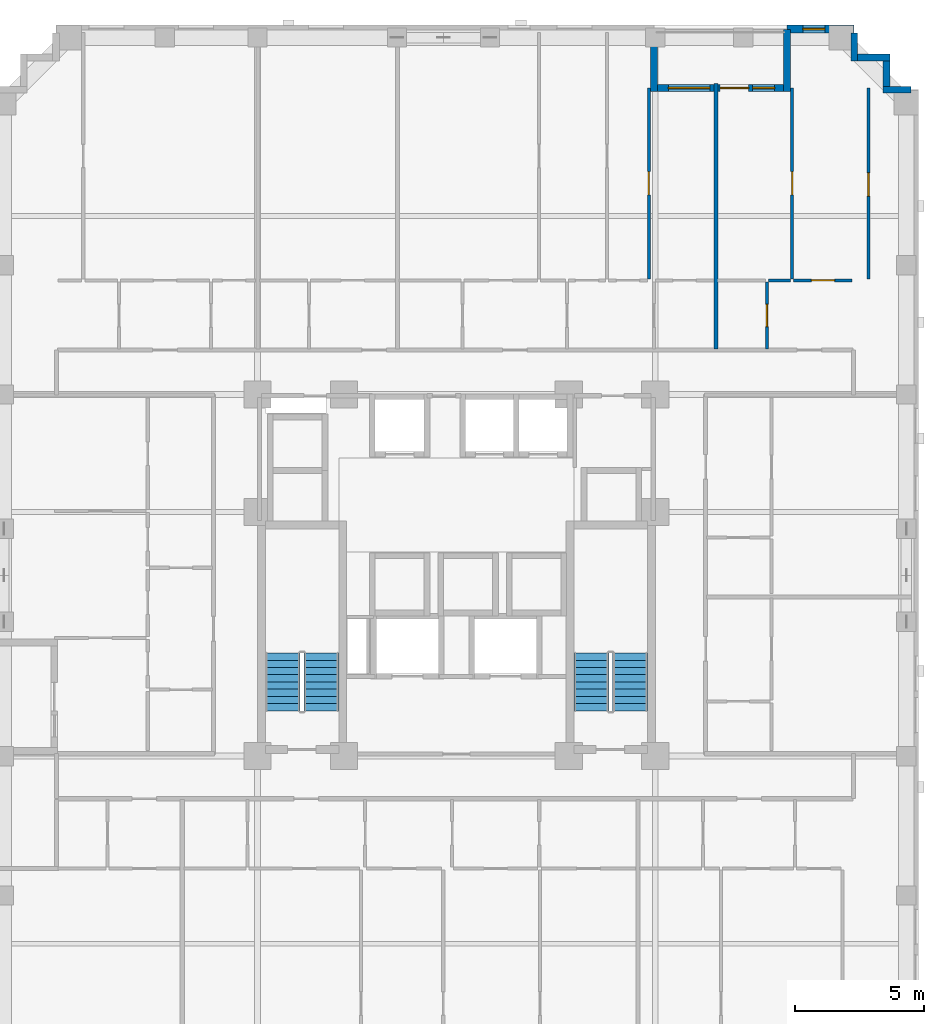
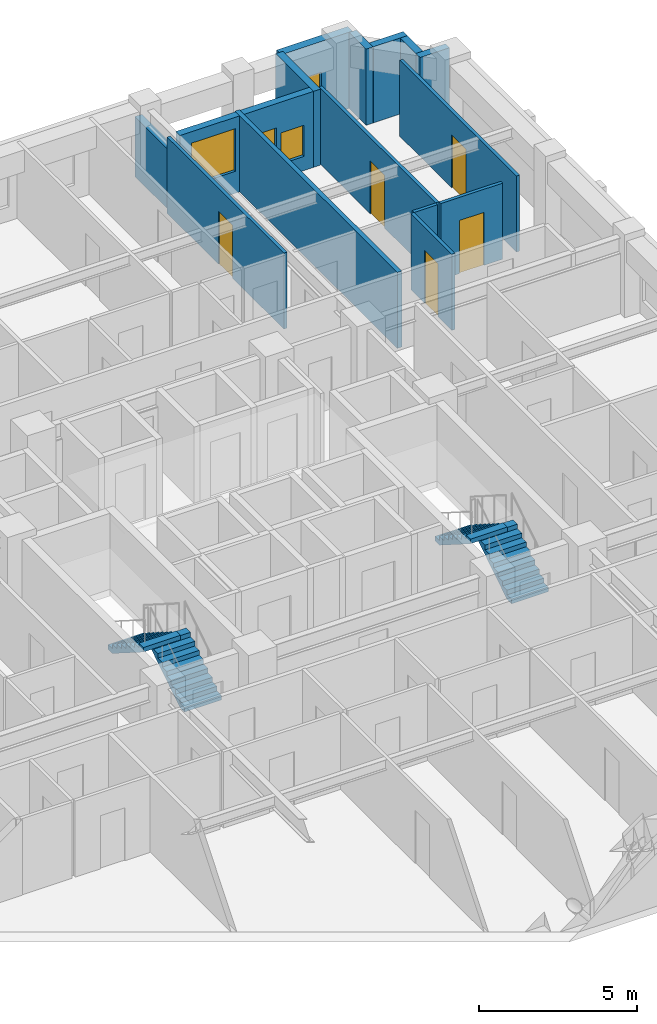
# One storey, part 8 of 12: 15 walls, 6 doors, 4 stair flights, 3 windows, 9 openings, 2 elements without a shape of their own.
"""IFC4 building model written with IfcOpenShell, lengths in metres."""

from ifc_helpers import new_model, si_unit, derived_unit, direction, frame, frame_2d, origin, place, context, subcontext, project, spatial, polyline, rectangle, outline, extrude, material, layer, layer_set, type_object, element, fill, aggregate, save


model = new_model("IFC4")

# Units and contexts
model_context = context("Model", 3, precision=1e-05, world=origin(), true_north=direction((0.0, 1.0)))
body_context = subcontext(model_context, "Body", "Model", "MODEL_VIEW")
ifc_project = project(units=[si_unit("LENGTHUNIT", "METRE"), si_unit("AREAUNIT", "SQUARE_METRE"), si_unit("VOLUMEUNIT", "CUBIC_METRE"), si_unit("PLANEANGLEUNIT", "RADIAN"), si_unit("MASSUNIT", "GRAM", prefix="KILO"), derived_unit("THERMALTRANSMITTANCEUNIT", [(si_unit("MASSUNIT", "GRAM", prefix="KILO"), 1), (si_unit("TIMEUNIT", "SECOND"), -3), (si_unit("THERMODYNAMICTEMPERATUREUNIT", "KELVIN"), -1)])], contexts=[model_context])

# Site, building, storey
site_placement = place(None, origin())
site = spatial("IfcSite", under=ifc_project, at=site_placement, CompositionType="ELEMENT")
building_placement = place(site_placement, origin())
building = spatial("IfcBuilding", under=site, at=building_placement, Name="Korrvale Station Residences", CompositionType="ELEMENT")
storey_placement = place(building_placement, frame((0.0, 0.0, 103.89990234375)))
storey = spatial("IfcBuildingStorey", under=building, at=storey_placement, Name="L29", CompositionType="ELEMENT", Elevation=103.89990234375)

# Wall
ifc_material_1 = material(Name="Precast concrete C45/55", Category="concrete")
ifc_layer_1 = layer(ifc_material_1, 0.260009765625, Name="Precast concrete C45/55")
ifc_layer_set_1 = layer_set([ifc_layer_1], Name="Precast concrete C45/55")
wall_type_1 = type_object("IfcWallType", Name="WAL-EXT-LOG260", PredefinedType="SOLIDWALL", material=ifc_layer_set_1)
wall_1_placement = place(storey_placement, frame((33.14990234375, 43.139892578125, 0.0), z_axis=(0.0, 0.0, 1.0), x_axis=(0.0, -1.0, 0.0)))
element("IfcWall", 1, at=wall_1_placement, inside=storey, type_object=wall_type_1, Name="L29 Recessed Loggia Wall BAL-L29-N1-L", PredefinedType="SOLIDWALL", context=body_context, shape_type="SweptSolid", body=[
    extrude(rectangle(XDim=2.39990234375, YDim=0.260009765625, at=frame_2d((1.199951171875, 0.0))), origin(), (0.0, 0.0, 1.0), 2.31298828125),
])

# Wall, openings, door, windows
wall_2_placement = place(storey_placement, frame((33.283935546875, 40.8701171875, 0.0), z_axis=(0.0, 0.0, 1.0), x_axis=(1.0, 0.0, 0.0)))
wall_2 = element("IfcWall", 2, at=wall_2_placement, inside=storey, type_object=wall_type_1, Name="L29 Recessed Loggia Wall BAL-L29-N1-B", PredefinedType="SOLIDWALL", context=body_context, shape_type="SweptSolid", body=[
    extrude(rectangle(XDim=4.882080078125, YDim=0.260009765625, at=frame_2d((2.44091796875, 0.0))), origin(), (0.0, 0.0, 1.0), 2.940185546875),
])
opening_1_placement = place(wall_2_placement, frame((2.426025390625, 0.0, 0.0)))
opening_1 = element("IfcOpeningElement", 3, at=opening_1_placement, cuts=wall_2, Name="Opening BD-01", PredefinedType="OPENING", context=body_context, shape_type="SweptSolid", body=[
    extrude(rectangle(XDim=1.10009765625, YDim=2.0, at=frame_2d((0.550048828125, 1.0))), frame((0.0, 0.14013671875, 0.0), z_axis=(0.0, -1.0, 0.0), x_axis=(1.0, 0.0, 0.0)), (0.0, 0.0, 1.0), 0.280029296875),
])
opening_2_placement = place(wall_2_placement, frame((0.426025390625, 0.0, 0.85009765625)))
opening_2 = element("IfcOpeningElement", 4, at=opening_2_placement, cuts=wall_2, Name="Opening W-05", PredefinedType="OPENING", context=body_context, shape_type="SweptSolid", body=[
    extrude(rectangle(XDim=1.60009765625, YDim=1.64990234375, at=frame_2d((0.800048828125, 0.824951171875))), frame((0.0, 0.14013671875, 0.0), z_axis=(0.0, -1.0, 0.0), x_axis=(1.0, 0.0, 0.0)), (0.0, 0.0, 1.0), 0.280029296875),
])
opening_3_placement = place(wall_2_placement, frame((3.68603515625, 0.0, 0.550048828125)))
opening_3 = element("IfcOpeningElement", 5, at=opening_3_placement, cuts=wall_2, Name="Opening W-11", PredefinedType="OPENING", context=body_context, shape_type="SweptSolid", body=[
    extrude(rectangle(XDim=0.85009765625, YDim=1.199951171875, at=frame_2d((0.425048828125, 0.60009765625))), frame((0.0, 0.14013671875, 0.0), z_axis=(0.0, -1.0, 0.0), x_axis=(1.0, 0.0, 0.0)), (0.0, 0.0, 1.0), 0.280029296875),
])
ifc_material_2 = material(Name="Exterior thermally broken aluminium glazed balcony door", Category="aluminium")
door_type_1 = type_object("IfcDoorType", Name="DR-EXT-BAL", OperationType="NOTDEFINED", PredefinedType="DOOR", material=ifc_material_2)
door_1_placement = place(opening_1_placement, origin())
door_1 = element("IfcDoor", 6, at=door_1_placement, inside=storey, type_object=door_type_1, Name="L29 Loggia Balcony Door BAL-L29-N1", OperationType="SINGLE_SWING_LEFT", OverallHeight=2.0, OverallWidth=1.10009765625, PredefinedType="DOOR", context=body_context, shape_type="SweptSolid", body=[
    extrude(rectangle(XDim=1.10009765625, YDim=2.0, at=frame_2d((0.550048828125, 1.0))), frame((0.0, 0.02490234375, 0.0), z_axis=(0.0, -1.0, 0.0), x_axis=(1.0, 0.0, 0.0)), (0.0, 0.0, 1.0), 0.050048828125),
])
fill(opening_1, door_1)
ifc_material_3 = material(Name="Thermally broken aluminium frame with triple low-e glazing", Category="aluminium")
window_type_1 = type_object("IfcWindowType", Name="WIN-W05", PartitioningType="DOUBLE_PANEL_VERTICAL", PredefinedType="WINDOW", material=ifc_material_3)
window_1_placement = place(opening_2_placement, origin())
window_1 = element("IfcWindow", 7, at=window_1_placement, inside=storey, type_object=window_type_1, Name="L29 Punched Window 17", OverallHeight=1.64990234375, OverallWidth=1.60009765625, PartitioningType="DOUBLE_PANEL_VERTICAL", PredefinedType="WINDOW", context=body_context, shape_type="SweptSolid", body=[
    extrude(rectangle(XDim=1.60009765625, YDim=1.64990234375, at=frame_2d((0.800048828125, 0.824951171875))), frame((0.0, 0.030029296875, 0.0), z_axis=(0.0, -1.0, 0.0), x_axis=(1.0, 0.0, 0.0)), (0.0, 0.0, 1.0), 0.06005859375),
])
fill(opening_2, window_1)
window_type_2 = type_object("IfcWindowType", Name="WIN-W11", PartitioningType="SINGLE_PANEL", PredefinedType="WINDOW", material=ifc_material_3)
window_2_placement = place(opening_3_placement, origin())
window_2 = element("IfcWindow", 8, at=window_2_placement, inside=storey, type_object=window_type_2, Name="L29 Punched Window 18", OverallHeight=1.199951171875, OverallWidth=0.85009765625, PartitioningType="SINGLE_PANEL", PredefinedType="WINDOW", context=body_context, shape_type="SweptSolid", body=[
    extrude(rectangle(XDim=0.85009765625, YDim=1.199951171875, at=frame_2d((0.425048828125, 0.60009765625))), frame((0.0, 0.030029296875, 0.0), z_axis=(0.0, -1.0, 0.0), x_axis=(1.0, 0.0, 0.0)), (0.0, 0.0, 1.0), 0.06005859375),
])
fill(opening_3, window_2)

# Walls
wall_3_placement = place(storey_placement, frame((38.300048828125, 40.739990234375, 0.0), z_axis=(0.0, 0.0, 1.0), x_axis=(0.0, 1.0, 0.0)))
element("IfcWall", 9, at=wall_3_placement, inside=storey, type_object=wall_type_1, Name="L29 Recessed Loggia Wall BAL-L29-N1-R", PredefinedType="SOLIDWALL", context=body_context, shape_type="SweptSolid", body=[
    extrude(rectangle(XDim=2.39990234375, YDim=0.260009765625, at=frame_2d((1.199951171875, 0.0))), origin(), (0.0, 0.0, 1.0), 2.940185546875),
])
wall_4_placement = place(storey_placement, frame((40.89990234375, 42.998046875, 0.0), z_axis=(0.0, 0.0, 1.0), x_axis=(0.0, -1.0, 0.0)))
element("IfcWall", 10, at=wall_4_placement, inside=storey, type_object=wall_type_1, Name="L29 Serrated Corner Precast Step NE-1", PredefinedType="SOLIDWALL", context=body_context, shape_type="SweptSolid", body=[
    extrude(rectangle(XDim=1.078125, YDim=0.260009765625, at=frame_2d((0.5390625, 0.0))), origin(), (0.0, 0.0, 1.0), 2.940185546875),
])
wall_5_placement = place(storey_placement, frame((41.031982421875, 42.050048828125, 0.0), z_axis=(0.0, 0.0, 1.0), x_axis=(1.0, 0.0, 0.0)))
element("IfcWall", 11, at=wall_5_placement, inside=storey, type_object=wall_type_1, Name="L29 Serrated Corner Precast Step NE-2", PredefinedType="SOLIDWALL", context=body_context, shape_type="SweptSolid", body=[
    extrude(rectangle(XDim=1.248046875, YDim=0.260009765625, at=frame_2d((0.6240234375, 0.0))), origin(), (0.0, 0.0, 1.0), 2.940185546875),
])
wall_6_placement = place(storey_placement, frame((42.14990234375, 41.91796875, 0.0), z_axis=(0.0, 0.0, 1.0), x_axis=(0.0, -1.0, 0.0)))
element("IfcWall", 12, at=wall_6_placement, inside=storey, type_object=wall_type_1, Name="L29 Serrated Corner Precast Step NE-3", PredefinedType="SOLIDWALL", context=body_context, shape_type="SweptSolid", body=[
    extrude(rectangle(XDim=0.986083984375, YDim=0.260009765625, at=frame_2d((0.4931640625, 0.0))), origin(), (0.0, 0.0, 1.0), 2.940185546875),
])
wall_7_placement = place(storey_placement, frame((42.02001953125, 40.800048828125, 0.0), z_axis=(0.0, 0.0, 1.0), x_axis=(1.0, 0.0, 0.0)))
element("IfcWall", 13, at=wall_7_placement, inside=storey, type_object=wall_type_1, Name="L29 Serrated Corner Precast Step NE-4", PredefinedType="SOLIDWALL", context=body_context, shape_type="SweptSolid", body=[
    extrude(rectangle(XDim=1.077880859375, YDim=0.260009765625, at=frame_2d((0.5390625, 0.0))), origin(), (0.0, 0.0, 1.0), 2.940185546875),
])

# Wall, opening, window
ifc_layer_2 = layer(ifc_material_1, 0.300048828125, Name="Precast concrete C45/55")
ifc_layer_set_2 = layer_set([ifc_layer_2], Name="Precast concrete C45/55")
wall_type_2 = type_object("IfcWallType", Name="WAL-EXT-PC300", PredefinedType="SOLIDWALL", material=ifc_layer_set_2)
wall_8_placement = place(storey_placement, frame((38.300048828125, 43.14990234375, 0.0), z_axis=(0.0, 0.0, 1.0), x_axis=(1.0, 0.0, 0.0)))
wall_8 = element("IfcWall", 14, at=wall_8_placement, inside=storey, type_object=wall_type_2, Name="L29 North Exterior Precast Wall 2", PredefinedType="SOLIDWALL", context=body_context, shape_type="SweptSolid", body=[
    extrude(rectangle(XDim=2.599853515625, YDim=0.300048828125, at=frame_2d((1.2998046875, 0.0))), origin(), (0.0, 0.0, 1.0), 2.940185546875),
])
opening_4_placement = place(wall_8_placement, frame((0.614990234375, 0.0, 0.550048828125)))
opening_4 = element("IfcOpeningElement", 15, at=opening_4_placement, cuts=wall_8, Name="Opening W-11", PredefinedType="OPENING", context=body_context, shape_type="SweptSolid", body=[
    extrude(rectangle(XDim=0.85009765625, YDim=1.199951171875, at=frame_2d((0.425048828125, 0.60009765625))), frame((0.0, 0.16015625, 0.0), z_axis=(0.0, -1.0, 0.0), x_axis=(1.0, 0.0, 0.0)), (0.0, 0.0, 1.0), 0.320068359375),
])
window_3_placement = place(opening_4_placement, origin())
window_3 = element("IfcWindow", 16, at=window_3_placement, inside=storey, type_object=window_type_2, Name="L29 Punched Window 19", OverallHeight=1.199951171875, OverallWidth=0.85009765625, PartitioningType="SINGLE_PANEL", PredefinedType="WINDOW", context=body_context, shape_type="SweptSolid", body=[
    extrude(rectangle(XDim=0.85009765625, YDim=1.199951171875, at=frame_2d((0.425048828125, 0.60009765625))), frame((0.0, 0.030029296875, 0.0), z_axis=(0.0, -1.0, 0.0), x_axis=(1.0, 0.0, 0.0)), (0.0, 0.0, 1.0), 0.06005859375),
])
fill(opening_4, window_3)

# Wall, opening, door
ifc_material_4 = material(Name="Acoustic steel-stud gypsum board partition", Category="steel")
ifc_layer_3 = layer(ifc_material_4, 0.1201171875, Name="Acoustic steel-stud gypsum board partition")
ifc_layer_set_3 = layer_set([ifc_layer_3], Name="Acoustic steel-stud gypsum board partition")
wall_type_3 = type_object("IfcWallType", Name="WAL-PART-125", PredefinedType="PARTITIONING", material=ifc_layer_set_3)
wall_9_placement = place(storey_placement, frame((32.949951171875, 33.47998046875, 0.0), z_axis=(0.0, 0.0, 1.0), x_axis=(0.0, 1.0, 0.0)))
wall_9 = element("IfcWall", 17, at=wall_9_placement, inside=storey, type_object=wall_type_3, Name="L29 Suite Partition U06-V67", PredefinedType="PARTITIONING", context=body_context, shape_type="SweptSolid", body=[
    extrude(rectangle(XDim=7.39013671875, YDim=0.1201171875, at=frame_2d((3.695068359375, 0.0))), origin(), (0.0, 0.0, 1.0), 2.940185546875),
])
opening_5_placement = place(wall_9_placement, frame((3.2451171875, 0.0, 0.0)))
opening_5 = element("IfcOpeningElement", 18, at=opening_5_placement, cuts=wall_9, Name="Opening DI-900", PredefinedType="OPENING", context=body_context, shape_type="SweptSolid", body=[
    extrude(rectangle(XDim=0.89990234375, YDim=2.050048828125, at=frame_2d((0.449951171875, 1.02490234375))), frame((0.0, 0.070068359375, 0.0), z_axis=(0.0, -1.0, 0.0), x_axis=(1.0, 0.0, 0.0)), (0.0, 0.0, 1.0), 0.14013671875),
])
ifc_material_5 = material(Name="Painted solid-core timber interior room door", Category="wood")
door_type_2 = type_object("IfcDoorType", Name="DR-INT-900", OperationType="NOTDEFINED", PredefinedType="DOOR", material=ifc_material_5)
door_2_placement = place(opening_5_placement, origin())
door_2 = element("IfcDoor", 19, at=door_2_placement, inside=storey, type_object=door_type_2, Name="L29 Apartment 2BR L29-U06 Dressing Closet 1 Door", OperationType="SINGLE_SWING_RIGHT", OverallHeight=2.050048828125, OverallWidth=0.89990234375, PredefinedType="DOOR", context=body_context, shape_type="SweptSolid", body=[
    extrude(rectangle(XDim=0.89990234375, YDim=2.050048828125, at=frame_2d((0.449951171875, 1.02490234375))), frame((0.0, 0.02490234375, 0.0), z_axis=(0.0, -1.0, 0.0), x_axis=(1.0, 0.0, 0.0)), (0.0, 0.0, 1.0), 0.050048828125),
])
fill(opening_5, door_2)

wall_10_placement = place(storey_placement, frame((37.52001953125, 30.760009765625, 0.0), z_axis=(0.0, 0.0, 1.0), x_axis=(0.0, 1.0, 0.0)))
wall_10 = element("IfcWall", 20, at=wall_10_placement, inside=storey, type_object=wall_type_3, Name="L29 Suite Partition U07-V01", PredefinedType="PARTITIONING", context=body_context, shape_type="SweptSolid", body=[
    extrude(rectangle(XDim=2.60009765625, YDim=0.1201171875, at=frame_2d((1.300048828125, 0.0))), origin(), (0.0, 0.0, 1.0), 2.940185546875),
])
opening_6_placement = place(wall_10_placement, frame((0.8701171875, 0.0, 0.0)))
opening_6 = element("IfcOpeningElement", 21, at=opening_6_placement, cuts=wall_10, Name="Opening DB-860", PredefinedType="OPENING", context=body_context, shape_type="SweptSolid", body=[
    extrude(rectangle(XDim=0.860107421875, YDim=2.050048828125, at=frame_2d((0.43017578125, 1.02490234375))), frame((0.0, 0.070068359375, 0.0), z_axis=(0.0, -1.0, 0.0), x_axis=(1.0, 0.0, 0.0)), (0.0, 0.0, 1.0), 0.14013671875),
])
ifc_material_6 = material(Name="Moisture-resistant solid-core bathroom door", Category="timber")
door_type_3 = type_object("IfcDoorType", Name="DR-BATH-860", OperationType="NOTDEFINED", PredefinedType="DOOR", material=ifc_material_6)
door_3_placement = place(opening_6_placement, origin())
door_3 = element("IfcDoor", 22, at=door_3_placement, inside=storey, type_object=door_type_3, Name="L29 Apartment 1BR L29-U07 Bathroom Door", OperationType="SINGLE_SWING_LEFT", OverallHeight=2.050048828125, OverallWidth=0.860107421875, PredefinedType="DOOR", context=body_context, shape_type="SweptSolid", body=[
    extrude(rectangle(XDim=0.860107421875, YDim=2.050048828125, at=frame_2d((0.43017578125, 1.02490234375))), frame((0.0, 0.02490234375, 0.0), z_axis=(0.0, -1.0, 0.0), x_axis=(1.0, 0.0, 0.0)), (0.0, 0.0, 1.0), 0.050048828125),
])
fill(opening_6, door_3)

# Wall
wall_11_placement = place(storey_placement, frame((37.580078125, 33.419921875, 0.0), z_axis=(0.0, 0.0, 1.0), x_axis=(1.0, 0.0, 0.0)))
element("IfcWall", 23, at=wall_11_placement, inside=storey, type_object=wall_type_3, Name="L29 Suite Partition U07-H12", PredefinedType="PARTITIONING", context=body_context, shape_type="SweptSolid", body=[
    extrude(rectangle(XDim=0.85986328125, YDim=0.1201171875, at=frame_2d((0.429931640625, 0.0))), origin(), (0.0, 0.0, 1.0), 2.940185546875),
])

# Wall, opening, door
wall_12_placement = place(storey_placement, frame((38.56005859375, 33.419921875, 0.0), z_axis=(0.0, 0.0, 1.0), x_axis=(1.0, 0.0, 0.0)))
wall_12 = element("IfcWall", 24, at=wall_12_placement, inside=storey, type_object=wall_type_3, Name="L29 Suite Partition U07-H13", PredefinedType="PARTITIONING", context=body_context, shape_type="SweptSolid", body=[
    extrude(rectangle(XDim=2.260009765625, YDim=0.1201171875, at=frame_2d((1.1298828125, 0.0))), origin(), (0.0, 0.0, 1.0), 2.940185546875),
])
opening_7_placement = place(wall_12_placement, frame((0.679931640625, 0.0, 0.0)))
opening_7 = element("IfcOpeningElement", 25, at=opening_7_placement, cuts=wall_12, Name="Opening DI-900", PredefinedType="OPENING", context=body_context, shape_type="SweptSolid", body=[
    extrude(rectangle(XDim=0.89990234375, YDim=2.050048828125, at=frame_2d((0.449951171875, 1.02490234375))), frame((0.0, 0.070068359375, 0.0), z_axis=(0.0, -1.0, 0.0), x_axis=(1.0, 0.0, 0.0)), (0.0, 0.0, 1.0), 0.14013671875),
])
door_4_placement = place(opening_7_placement, origin())
door_4 = element("IfcDoor", 26, at=door_4_placement, inside=storey, type_object=door_type_2, Name="L29 Apartment 1BR L29-U07 Kitchen Door", OperationType="SINGLE_SWING_RIGHT", OverallHeight=2.050048828125, OverallWidth=0.89990234375, PredefinedType="DOOR", context=body_context, shape_type="SweptSolid", body=[
    extrude(rectangle(XDim=0.89990234375, YDim=2.050048828125, at=frame_2d((0.449951171875, 1.02490234375))), frame((0.0, 0.02490234375, 0.0), z_axis=(0.0, -1.0, 0.0), x_axis=(1.0, 0.0, 0.0)), (0.0, 0.0, 1.0), 0.050048828125),
])
fill(opening_7, door_4)

wall_13_placement = place(storey_placement, frame((38.5, 33.47998046875, 0.0), z_axis=(0.0, 0.0, 1.0), x_axis=(0.0, 1.0, 0.0)))
wall_13 = element("IfcWall", 27, at=wall_13_placement, inside=storey, type_object=wall_type_3, Name="L29 Suite Partition U07-V23", PredefinedType="PARTITIONING", context=body_context, shape_type="SweptSolid", body=[
    extrude(rectangle(XDim=7.39013671875, YDim=0.1201171875, at=frame_2d((3.695068359375, 0.0))), origin(), (0.0, 0.0, 1.0), 2.940185546875),
])
opening_8_placement = place(wall_13_placement, frame((3.2451171875, 0.0, 0.0)))
opening_8 = element("IfcOpeningElement", 28, at=opening_8_placement, cuts=wall_13, Name="Opening DI-900", PredefinedType="OPENING", context=body_context, shape_type="SweptSolid", body=[
    extrude(rectangle(XDim=0.89990234375, YDim=2.050048828125, at=frame_2d((0.449951171875, 1.02490234375))), frame((0.0, 0.070068359375, 0.0), z_axis=(0.0, -1.0, 0.0), x_axis=(1.0, 0.0, 0.0)), (0.0, 0.0, 1.0), 0.14013671875),
])
door_5_placement = place(opening_8_placement, origin())
door_5 = element("IfcDoor", 29, at=door_5_placement, inside=storey, type_object=door_type_2, Name="L29 Apartment 1BR L29-U07 Living and Dining Room Door", OperationType="SINGLE_SWING_LEFT", OverallHeight=2.050048828125, OverallWidth=0.89990234375, PredefinedType="DOOR", context=body_context, shape_type="SweptSolid", body=[
    extrude(rectangle(XDim=0.89990234375, YDim=2.050048828125, at=frame_2d((0.449951171875, 1.02490234375))), frame((0.0, 0.02490234375, 0.0), z_axis=(0.0, -1.0, 0.0), x_axis=(1.0, 0.0, 0.0)), (0.0, 0.0, 1.0), 0.050048828125),
])
fill(opening_8, door_5)

wall_14_placement = place(storey_placement, frame((41.449951171875, 33.47998046875, 0.0), z_axis=(0.0, 0.0, 1.0), x_axis=(0.0, 1.0, 0.0)))
wall_14 = element("IfcWall", 30, at=wall_14_placement, inside=storey, type_object=wall_type_3, Name="L29 Suite Partition U07-V34", PredefinedType="PARTITIONING", context=body_context, shape_type="SweptSolid", body=[
    extrude(rectangle(XDim=7.39013671875, YDim=0.1201171875, at=frame_2d((3.695068359375, 0.0))), origin(), (0.0, 0.0, 1.0), 2.940185546875),
])
opening_9_placement = place(wall_14_placement, frame((3.199951171875, 0.0, 0.0)))
opening_9 = element("IfcOpeningElement", 31, at=opening_9_placement, cuts=wall_14, Name="Opening DI-900", PredefinedType="OPENING", context=body_context, shape_type="SweptSolid", body=[
    extrude(rectangle(XDim=0.89990234375, YDim=2.050048828125, at=frame_2d((0.449951171875, 1.02490234375))), frame((0.0, 0.070068359375, 0.0), z_axis=(0.0, -1.0, 0.0), x_axis=(1.0, 0.0, 0.0)), (0.0, 0.0, 1.0), 0.14013671875),
])
door_6_placement = place(opening_9_placement, origin())
door_6 = element("IfcDoor", 32, at=door_6_placement, inside=storey, type_object=door_type_2, Name="L29 Apartment 1BR L29-U07 Bedroom 1 Door", OperationType="SINGLE_SWING_RIGHT", OverallHeight=2.050048828125, OverallWidth=0.89990234375, PredefinedType="DOOR", context=body_context, shape_type="SweptSolid", body=[
    extrude(rectangle(XDim=0.89990234375, YDim=2.050048828125, at=frame_2d((0.449951171875, 1.02490234375))), frame((0.0, 0.02490234375, 0.0), z_axis=(0.0, -1.0, 0.0), x_axis=(1.0, 0.0, 0.0)), (0.0, 0.0, 1.0), 0.050048828125),
])
fill(opening_9, door_6)

# Wall
ifc_material_7 = material(Name="Fire-rated twin-stud gypsum and mineral wool shaftwall assembly", Category="gypsum")
ifc_layer_4 = layer(ifc_material_7, 0.159912109375, Name="Fire-rated twin-stud gypsum and mineral wool shaftwall assembly")
ifc_layer_set_4 = layer_set([ifc_layer_4], Name="Fire-rated twin-stud gypsum and mineral wool shaftwall assembly")
wall_type_4 = type_object("IfcWallType", Name="WAL-PART-200", PredefinedType="PARTITIONING", material=ifc_layer_set_4)
wall_15_placement = place(storey_placement, frame((35.550048828125, 30.760009765625, 0.0), z_axis=(0.0, 0.0, 1.0), x_axis=(0.0, 1.0, 0.0)))
element("IfcWall", 33, at=wall_15_placement, inside=storey, type_object=wall_type_4, Name="L29 Demising Wall U07-W", PredefinedType="PARTITIONING", context=body_context, shape_type="SweptSolid", body=[
    extrude(rectangle(XDim=10.280029296875, YDim=0.159912109375, at=frame_2d((5.14013671875, 0.0))), origin(), (0.0, 0.0, 1.0), 2.940185546875),
])

# Stair, stair flights
ifc_material_8 = material(Name="Concrete C50/60", Category="concrete")
stair_type = type_object("IfcStairType", Name="STR-DL-1350-18R-1778", PredefinedType="HALF_TURN_STAIR", material=ifc_material_8)
stair_1_placement = place(storey_placement, origin())
stair_1 = element("IfcStair", 34, at=stair_1_placement, inside=storey, type_object=stair_type, Name="L29 Exit Stair 1", PredefinedType="HALF_TURN_STAIR")
stair_flight_type = type_object("IfcStairFlightType", Name="FLT-DL-1350-18R-1778", PredefinedType="STRAIGHT", material=ifc_material_8)
stair_flight_1_placement = place(storey_placement, frame((20.27490234375, 16.75, 0.0), z_axis=(0.0, 0.0, 1.0), x_axis=(0.0, 1.0, 0.0)))
stair_flight_1 = element("IfcStairFlight", 35, at=stair_flight_1_placement, type_object=stair_flight_type, Name="ST-1 flight 1", NumberOfRisers=9, NumberOfTreads=8, PredefinedType="STRAIGHT", RiserHeight=0.177777778, TreadLength=0.28, context=body_context, shape_type="SweptSolid", body=[
    extrude(outline(polyline([(0.0, 0.0), (0.0, 0.177734375), (0.280029296875, 0.177734375), (0.280029296875, 0.35546875), (0.56005859375, 0.35546875), (0.56005859375, 0.533447265625), (0.840087890625, 0.533447265625), (0.840087890625, 0.711181640625), (1.1201171875, 0.711181640625), (1.1201171875, 0.888916015625), (1.39990234375, 0.888916015625), (1.39990234375, 1.066650390625), (1.679931640625, 1.066650390625), (1.679931640625, 1.244384765625), (1.9599609375, 1.244384765625), (1.9599609375, 1.422119140625), (2.239990234375, 1.422119140625), (2.239990234375, 1.60009765625), (2.239990234375, 1.24462890625), (0.27978515625, 0.0), (0.0, 0.0)])), frame((0.0, 0.675048828125, 0.0), z_axis=(0.0, -1.0, 0.0), x_axis=(1.0, 0.0, 0.0)), (0.0, 0.0, 1.0), 1.35009765625),
])
stair_flight_2_placement = place(storey_placement, frame((18.77490234375, 18.989990234375, 1.60009765625), z_axis=(0.0, 0.0, 1.0), x_axis=(0.0, -1.0, 0.0)))
stair_flight_2 = element("IfcStairFlight", 36, at=stair_flight_2_placement, type_object=stair_flight_type, Name="ST-1 flight 2", NumberOfRisers=9, NumberOfTreads=8, PredefinedType="STRAIGHT", RiserHeight=0.177777778, TreadLength=0.28, context=body_context, shape_type="SweptSolid", body=[
    extrude(outline(polyline([(0.0, 0.0), (0.0, 0.177734375), (0.280029296875, 0.177734375), (0.280029296875, 0.35546875), (0.56005859375, 0.35546875), (0.56005859375, 0.533447265625), (0.840087890625, 0.533447265625), (0.840087890625, 0.711181640625), (1.1201171875, 0.711181640625), (1.1201171875, 0.888916015625), (1.39990234375, 0.888916015625), (1.39990234375, 1.066650390625), (1.679931640625, 1.066650390625), (1.679931640625, 1.244384765625), (1.9599609375, 1.244384765625), (1.9599609375, 1.422119140625), (2.239990234375, 1.422119140625), (2.239990234375, 1.60009765625), (2.239990234375, 1.24462890625), (0.27978515625, 0.0), (0.0, 0.0)])), frame((0.0, 0.675048828125, 0.0), z_axis=(0.0, -1.0, 0.0), x_axis=(1.0, 0.0, 0.0)), (0.0, 0.0, 1.0), 1.35009765625),
])
aggregate(stair_1, [stair_flight_1, stair_flight_2])

stair_2_placement = place(storey_placement, origin())
stair_2 = element("IfcStair", 37, at=stair_2_placement, inside=storey, type_object=stair_type, Name="L29 Exit Stair 2", PredefinedType="HALF_TURN_STAIR")
stair_flight_3_placement = place(storey_placement, frame((32.22509765625, 16.75, 0.0), z_axis=(0.0, 0.0, 1.0), x_axis=(0.0, 1.0, 0.0)))
stair_flight_3 = element("IfcStairFlight", 38, at=stair_flight_3_placement, type_object=stair_flight_type, Name="ST-2 flight 1", NumberOfRisers=9, NumberOfTreads=8, PredefinedType="STRAIGHT", RiserHeight=0.177777778, TreadLength=0.28, context=body_context, shape_type="SweptSolid", body=[
    extrude(outline(polyline([(0.0, 0.0), (0.0, 0.177734375), (0.280029296875, 0.177734375), (0.280029296875, 0.35546875), (0.56005859375, 0.35546875), (0.56005859375, 0.533447265625), (0.840087890625, 0.533447265625), (0.840087890625, 0.711181640625), (1.1201171875, 0.711181640625), (1.1201171875, 0.888916015625), (1.39990234375, 0.888916015625), (1.39990234375, 1.066650390625), (1.679931640625, 1.066650390625), (1.679931640625, 1.244384765625), (1.9599609375, 1.244384765625), (1.9599609375, 1.422119140625), (2.239990234375, 1.422119140625), (2.239990234375, 1.60009765625), (2.239990234375, 1.24462890625), (0.27978515625, 0.0), (0.0, 0.0)])), frame((0.0, 0.675048828125, 0.0), z_axis=(0.0, -1.0, 0.0), x_axis=(1.0, 0.0, 0.0)), (0.0, 0.0, 1.0), 1.35009765625),
])
stair_flight_4_placement = place(storey_placement, frame((30.72509765625, 18.989990234375, 1.60009765625), z_axis=(0.0, 0.0, 1.0), x_axis=(0.0, -1.0, 0.0)))
stair_flight_4 = element("IfcStairFlight", 39, at=stair_flight_4_placement, type_object=stair_flight_type, Name="ST-2 flight 2", NumberOfRisers=9, NumberOfTreads=8, PredefinedType="STRAIGHT", RiserHeight=0.177777778, TreadLength=0.28, context=body_context, shape_type="SweptSolid", body=[
    extrude(outline(polyline([(0.0, 0.0), (0.0, 0.177734375), (0.280029296875, 0.177734375), (0.280029296875, 0.35546875), (0.56005859375, 0.35546875), (0.56005859375, 0.533447265625), (0.840087890625, 0.533447265625), (0.840087890625, 0.711181640625), (1.1201171875, 0.711181640625), (1.1201171875, 0.888916015625), (1.39990234375, 0.888916015625), (1.39990234375, 1.066650390625), (1.679931640625, 1.066650390625), (1.679931640625, 1.244384765625), (1.9599609375, 1.244384765625), (1.9599609375, 1.422119140625), (2.239990234375, 1.422119140625), (2.239990234375, 1.60009765625), (2.239990234375, 1.24462890625), (0.27978515625, 0.0), (0.0, 0.0)])), frame((0.0, 0.675048828125, 0.0), z_axis=(0.0, -1.0, 0.0), x_axis=(1.0, 0.0, 0.0)), (0.0, 0.0, 1.0), 1.35009765625),
])
aggregate(stair_2, [stair_flight_3, stair_flight_4])

save(model, "model.ifc")
